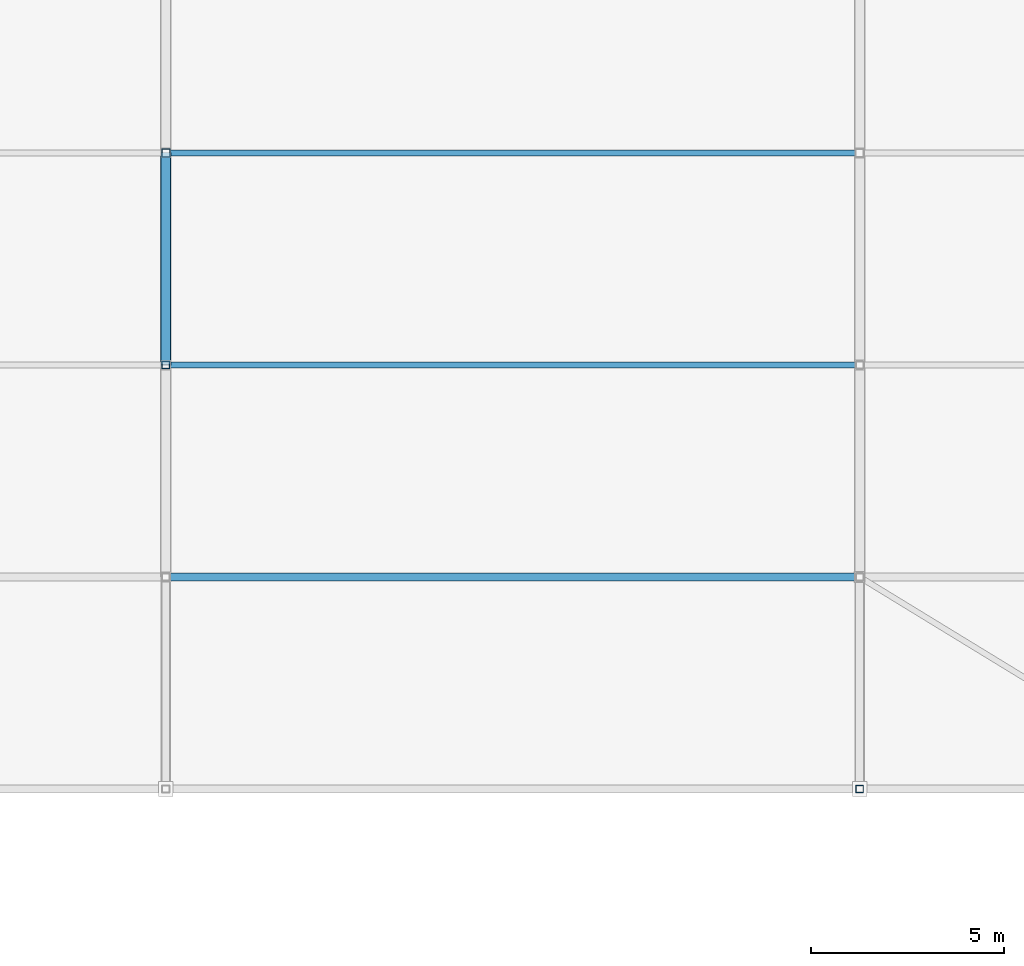
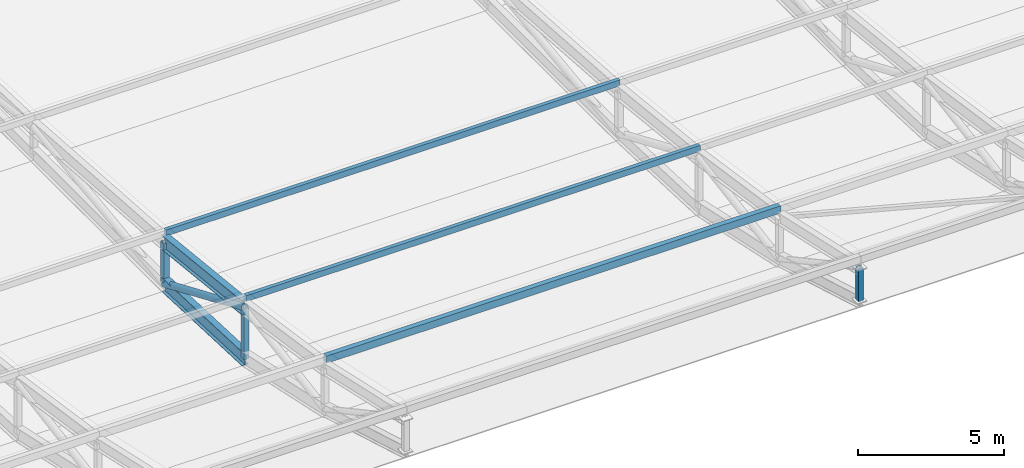
# One storey, part 35 of 114: 7 members, 2 beams.
"""IFC4 building model written with IfcOpenShell, lengths in metres."""

from ifc_helpers import new_model, si_unit, direction, frame, origin, origin_2d, place, context, subcontext, project, spatial, hollow_rectangle, hollow_circle, i_section, extrude, material, material_profile, profile_set, type_object, element, save


model = new_model("IFC4")

# Units and contexts
model_context = context("Model", 3, precision=1e-05, world=origin(), true_north=direction((0.0, 1.0)))
body_context = subcontext(model_context, "Body", "Model", "MODEL_VIEW")
ifc_project = project(units=[si_unit("LENGTHUNIT", "METRE"), si_unit("AREAUNIT", "SQUARE_METRE"), si_unit("VOLUMEUNIT", "CUBIC_METRE"), si_unit("PLANEANGLEUNIT", "RADIAN"), si_unit("MASSUNIT", "GRAM", prefix="KILO"), si_unit("THERMODYNAMICTEMPERATUREUNIT", "KELVIN"), si_unit("POWERUNIT", "WATT")], contexts=[model_context])

# Site, building, storey
site_placement = place(None, origin())
site = spatial("IfcSite", under=ifc_project, at=site_placement, CompositionType="ELEMENT")
building_placement = place(site_placement, origin())
building = spatial("IfcBuilding", under=site, at=building_placement, Name="Sindhuravela Promenade Stadium", CompositionType="ELEMENT")
storey_placement = place(building_placement, frame((0.0, 0.0, 24.0)))
storey = spatial("IfcBuildingStorey", under=building, at=storey_placement, Name="L05", CompositionType="ELEMENT", Elevation=24.0)

# Beams
ifc_material = material(Name="Steel E350 (IS 2062 E350BR)", Category="steel")
ifc_material_profile_1 = material_profile(ifc_material, i_section(OverallWidth=0.25, OverallDepth=0.60009765625, WebThickness=0.01171875, FlangeThickness=0.023681640625, FilletRadius=0.01708984375, at=origin_2d()), Name="ISWB 600")
ifc_profile_set_1 = profile_set([ifc_material_profile_1], Name="Steel E350 (IS 2062 E350BR)")
beam_type = type_object("IfcBeamType", Name="ST-BM-WB600", PredefinedType="USERDEFINED", material=ifc_profile_set_1)
beam_1_placement = place(storey_placement, frame((81.0, 135.0, 1.76318359375), z_axis=(0.0, -0.9943078180575428, 0.1065455909441987), x_axis=(1.0, 0.0, 0.0)))
element("IfcBeam", 1, at=beam_1_placement, inside=storey, type_object=beam_type, Name="Roof truss RT-N03 top chord 3", ObjectType="ROOF TRUSS", PredefinedType="USERDEFINED", context=body_context, shape_type="SweptSolid", body=[
    extrude(i_section(OverallWidth=0.25, OverallDepth=0.60009765625, WebThickness=0.01171875, FlangeThickness=0.023681640625, FilletRadius=0.01708984375, at=origin_2d()), origin(), (0.0, 0.0, 1.0), 5.531494140625),
])
beam_2_placement = place(storey_placement, frame((81.0, 135.0, 0.0), z_axis=(0.0, -0.9991453279387894, 0.04133538022189949), x_axis=(1.0, 0.0, 0.0)))
element("IfcBeam", 2, at=beam_2_placement, inside=storey, type_object=beam_type, Name="Roof truss RT-N03 bottom chord 3", ObjectType="ROOF TRUSS", PredefinedType="USERDEFINED", context=body_context, shape_type="SweptSolid", body=[
    extrude(i_section(OverallWidth=0.25, OverallDepth=0.60009765625, WebThickness=0.01171875, FlangeThickness=0.023681640625, FilletRadius=0.01708984375, at=origin_2d()), origin(), (0.0, 0.0, 1.0), 5.504638671875),
])

# Members
ifc_material_profile_2 = material_profile(ifc_material, hollow_circle(Radius=0.136474609375, WallThickness=0.010009765625, at=origin_2d()), Name="CHS 273.0x10")
ifc_profile_set_2 = profile_set([ifc_material_profile_2], Name="Steel E350 (IS 2062 E350BR)")
member_type_1 = type_object("IfcMemberType", Name="ST-MB-CHS273", PredefinedType="BRACE", material=ifc_profile_set_2)
member_1_placement = place(storey_placement, frame((81.0, 135.0, 0.0), z_axis=(0.0, -0.9194234507496676, 0.3932690150667524), x_axis=(1.0, 0.0, 0.0)))
element("IfcMember", 3, at=member_1_placement, inside=storey, type_object=member_type_1, Name="Roof truss RT-N03 diagonal web 3", PredefinedType="BRACE", context=body_context, shape_type="SweptSolid", body=[
    extrude(hollow_circle(Radius=0.136474609375, WallThickness=0.010009765625, at=origin_2d()), origin(), (0.0, 0.0, 1.0), 5.98193359375),
])
ifc_material_profile_3 = material_profile(ifc_material, hollow_rectangle(XDim=0.14990234375, YDim=0.25, WallThickness=0.010009765625, at=origin_2d()), Name="RHS 250x150x10")
ifc_profile_set_3 = profile_set([ifc_material_profile_3], Name="Steel E350 (IS 2062 E350BR)")
member_type_2 = type_object("IfcMemberType", Name="ST-MB-RHS250", PredefinedType="PURLIN", material=ifc_profile_set_3)
for number, where, z_axis, x_axis, name in (
    (4, (81.0, 135.0, 2.1552734375), (1.0, 0.0, 0.0), (0.0, 1.0, 0.0), "Roof purlin PR01 N bay 3.3"),
    (5, (81.0, 129.5, 2.744384765625), (1.0, 0.0, 0.0), (0.0, 1.0, 0.0), "Roof purlin PR01 N bay 3.4"),
):
    element("IfcMember", number, at=place(storey_placement, frame(where, z_axis=z_axis, x_axis=x_axis)), inside=storey, type_object=member_type_2, Name=name, PredefinedType="PURLIN", context=body_context, shape_type="SweptSolid", body=[
        extrude(hollow_rectangle(XDim=0.14990234375, YDim=0.25, WallThickness=0.010009765625, at=origin_2d()), origin(), (0.0, 0.0, 1.0), 18.0),
    ])
ifc_material_profile_4 = material_profile(ifc_material, hollow_rectangle(XDim=0.199951171875, YDim=0.300048828125, WallThickness=0.010009765625, at=origin_2d()), Name="RHS 300x200x10")
ifc_profile_set_4 = profile_set([ifc_material_profile_4], Name="Steel E350 (IS 2062 E350BR)")
member_type_3 = type_object("IfcMemberType", Name="ST-MB-RHS300", PredefinedType="PURLIN", material=ifc_profile_set_4)
member_2_placement = place(storey_placement, frame((81.0, 124.0, 3.5361328125), z_axis=(1.0, 0.0, 0.0), x_axis=(0.0, 1.0, 0.0)))
element("IfcMember", 6, at=member_2_placement, inside=storey, type_object=member_type_3, Name="Roof purlin PR02 N bay 3.5", PredefinedType="PURLIN", context=body_context, shape_type="SweptSolid", body=[
    extrude(hollow_rectangle(XDim=0.199951171875, YDim=0.300048828125, WallThickness=0.010009765625, at=origin_2d()), origin(), (0.0, 0.0, 1.0), 18.0),
])
ifc_material_profile_5 = material_profile(ifc_material, hollow_rectangle(XDim=0.199951171875, YDim=0.199951171875, WallThickness=0.010009765625, at=origin_2d()), Name="SHS 200x200x10")
ifc_profile_set_5 = profile_set([ifc_material_profile_5], Name="Steel E350 (IS 2062 E350BR)")
member_type_4 = type_object("IfcMemberType", Name="ST-MB-SHS200", PredefinedType="POST", material=ifc_profile_set_5)
member_3_placement = place(storey_placement, frame((81.0, 129.5, 0.2275390625), z_axis=(0.0, 0.0, 1.0), x_axis=(1.0, 0.0, 0.0)))
element("IfcMember", 7, at=member_3_placement, inside=storey, type_object=member_type_4, Name="Roof truss RT-N03 vertical post 4", PredefinedType="POST", context=body_context, shape_type="SweptSolid", body=[
    extrude(hollow_rectangle(XDim=0.199951171875, YDim=0.199951171875, WallThickness=0.010009765625, at=origin_2d()), origin(), (0.0, 0.0, 1.0), 2.125),
])
member_4_placement = place(storey_placement, frame((99.0, 118.5, 3.02490234375), z_axis=(0.0, 0.0, 1.0), x_axis=(1.0, 0.0, 0.0)))
element("IfcMember", 8, at=member_4_placement, inside=storey, type_object=member_type_4, Name="Roof truss RT-N04 vertical post 6", PredefinedType="POST", context=body_context, shape_type="SweptSolid", body=[
    extrude(hollow_rectangle(XDim=0.199951171875, YDim=0.199951171875, WallThickness=0.010009765625, at=origin_2d()), origin(), (0.0, 0.0, 1.0), 1.375),
])
ifc_material_profile_6 = material_profile(ifc_material, hollow_rectangle(XDim=0.219970703125, YDim=0.219970703125, WallThickness=0.011962890625, at=origin_2d()), Name="SHS 220x220x12")
ifc_profile_set_6 = profile_set([ifc_material_profile_6], Name="Steel E350 (IS 2062 E350BR)")
member_type_5 = type_object("IfcMemberType", Name="ST-MB-SHS220", PredefinedType="POST", material=ifc_profile_set_6)
member_5_placement = place(storey_placement, frame((81.0, 135.0, 0.0), z_axis=(0.0, 0.0, 1.0), x_axis=(1.0, 0.0, 0.0)))
element("IfcMember", 9, at=member_5_placement, inside=storey, type_object=member_type_5, Name="Roof truss RT-N03 vertical post 3", PredefinedType="POST", context=body_context, shape_type="SweptSolid", body=[
    extrude(hollow_rectangle(XDim=0.219970703125, YDim=0.219970703125, WallThickness=0.011962890625, at=origin_2d()), origin(), (0.0, 0.0, 1.0), 1.76318359375),
])

save(model, "model.ifc")
